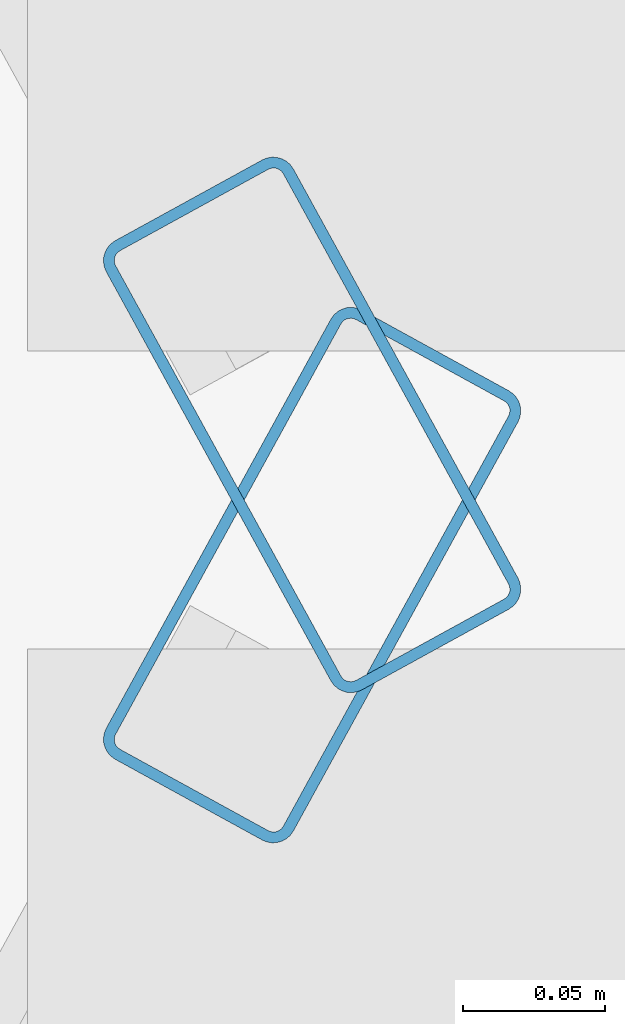
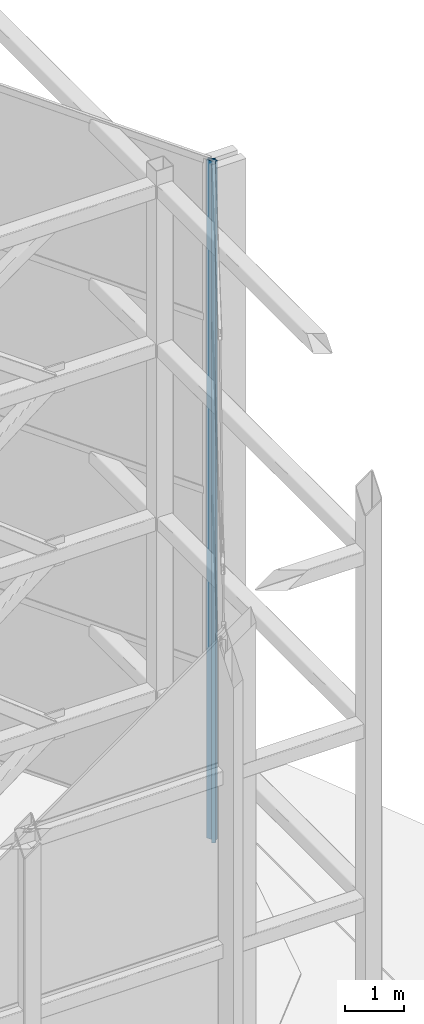
# One storey, part 16 of 24: 2 members, 2 elements without a shape of their own.
"""IFC4 building model written with IfcOpenShell, lengths in metres."""

from ifc_helpers import new_model, si_unit, direction, frame, origin, origin_2d, place, context, subcontext, project, spatial, hollow_rectangle, extrude, material, layer, layer_set, material_profile, profile_set, type_object, element, aggregate, save


model = new_model("IFC4")

# Units and contexts
model_context = context("Model", 3, precision=1e-05, world=origin(), true_north=direction((0.0, 1.0)))
body_context = subcontext(model_context, "Body", "Model", "MODEL_VIEW")
ifc_project = project(units=[si_unit("LENGTHUNIT", "METRE"), si_unit("AREAUNIT", "SQUARE_METRE"), si_unit("VOLUMEUNIT", "CUBIC_METRE"), si_unit("PLANEANGLEUNIT", "RADIAN"), si_unit("MASSUNIT", "GRAM", prefix="KILO")], contexts=[model_context])

# Site, building, storey
site_placement = place(None, origin())
site = spatial("IfcSite", under=ifc_project, at=site_placement, CompositionType="ELEMENT")
building_placement = place(site_placement, origin())
building = spatial("IfcBuilding", under=site, at=building_placement, Name="Solvaryn Broadcast Tower", CompositionType="ELEMENT")
storey_placement = place(building_placement, frame((0.0, 0.0, 307.800048828125)))
storey = spatial("IfcBuildingStorey", under=building, at=storey_placement, Name="Roof Main", CompositionType="ELEMENT", Elevation=307.800048828125)

# Curtain wall, member
ifc_material_1 = material(Name="Aluminium and Terracotta Unitised Curtain Wall", Category="masonry")
ifc_layer = layer(ifc_material_1, 0.2099609375)
ifc_layer_set = layer_set([ifc_layer], Name="CW-SYS6-CROWN")
curtain_wall_type = type_object("IfcCurtainWallType", Name="CW-SYS6-CROWN", PredefinedType="NOTDEFINED", material=ifc_layer_set)
curtain_wall_1_placement = place(storey_placement, origin())
curtain_wall_1 = element("IfcCurtainWall", 1, at=curtain_wall_1_placement, inside=storey, type_object=curtain_wall_type, Name="Roof Main Split-Top Crown Curtain Wall W1", PredefinedType="NOTDEFINED")
ifc_material_2 = material(Name="Anodised Aluminium 6063-T6", Category="aluminium")
ifc_material_profile = material_profile(ifc_material_2, hollow_rectangle(XDim=0.074951171875, YDim=0.179931640625, WallThickness=0.00390625, InnerFilletRadius=0.00390625, OuterFilletRadius=0.008056640625, at=origin_2d()))
ifc_profile_set = profile_set([ifc_material_profile], Name="Anodised Aluminium 6063-T6")
member_type = type_object("IfcMemberType", Name="CW-MUL-180", PredefinedType="MULLION", material=ifc_profile_set)
member_1_placement = place(storey_placement, frame((25.635498046875, 35.326416015625, 0.0), z_axis=(0.0, 0.0, 1.0), x_axis=(-0.876577523452, -0.481260683391, 0.0)))
member_1 = element("IfcMember", 2, at=member_1_placement, type_object=member_type, Name="CWS6 mullion 1", PredefinedType="MULLION", context=body_context, shape_type="SweptSolid", body=[
    extrude(hollow_rectangle(XDim=0.074951171875, YDim=0.179931640625, WallThickness=0.00390625, InnerFilletRadius=0.00390625, OuterFilletRadius=0.008056640625, at=origin_2d()), origin(), (0.0, 0.0, 1.0), 14.099853515625),
])
aggregate(curtain_wall_1, [member_1])

curtain_wall_2_placement = place(storey_placement, origin())
curtain_wall_2 = element("IfcCurtainWall", 3, at=curtain_wall_2_placement, inside=storey, type_object=curtain_wall_type, Name="Roof Main Split-Top Crown Curtain Wall W6", PredefinedType="NOTDEFINED")
member_2_placement = place(storey_placement, frame((25.635498046875, 35.273681640625, 0.0), z_axis=(0.0, 0.0, 1.0), x_axis=(-0.876577523452, 0.481260683391, 0.0)))
member_2 = element("IfcMember", 4, at=member_2_placement, type_object=member_type, Name="CWS6 mullion 2", PredefinedType="MULLION", context=body_context, shape_type="SweptSolid", body=[
    extrude(hollow_rectangle(XDim=0.074951171875, YDim=0.179931640625, WallThickness=0.00390625, InnerFilletRadius=0.00390625, OuterFilletRadius=0.008056640625, at=origin_2d()), origin(), (0.0, 0.0, 1.0), 14.099853515625),
])
aggregate(curtain_wall_2, [member_2])

save(model, "model.ifc")
